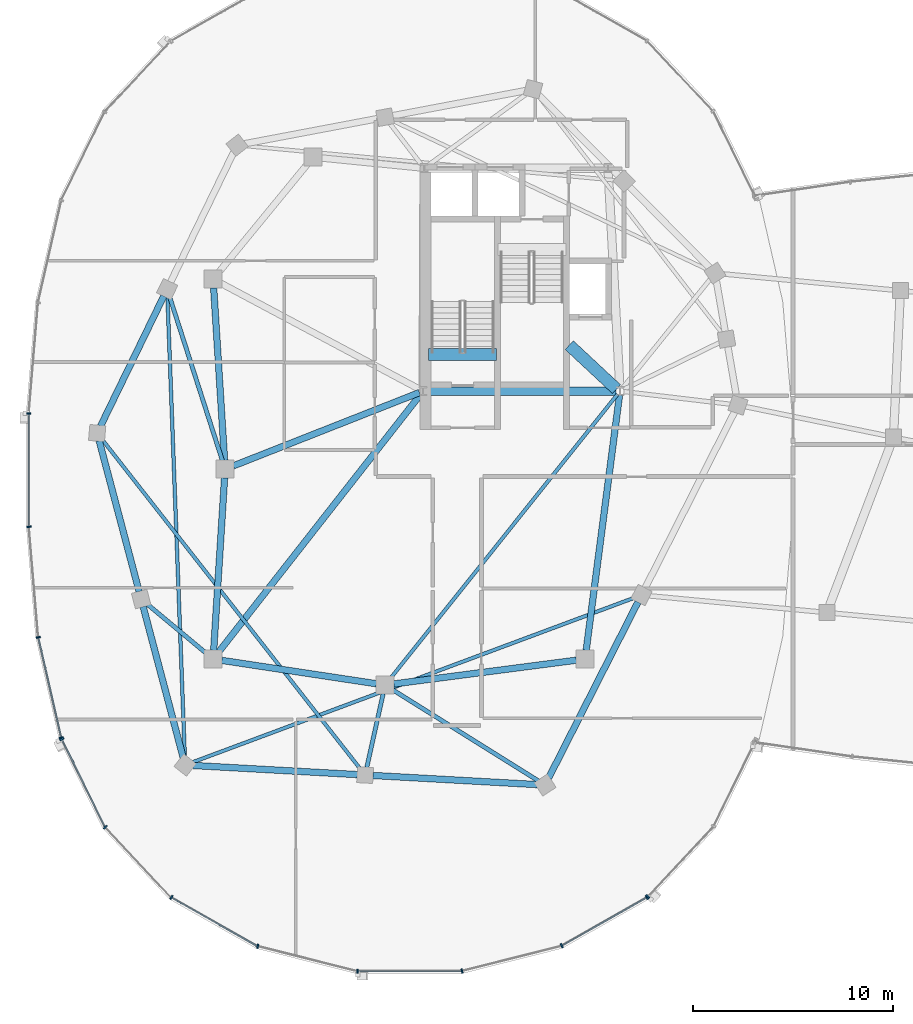
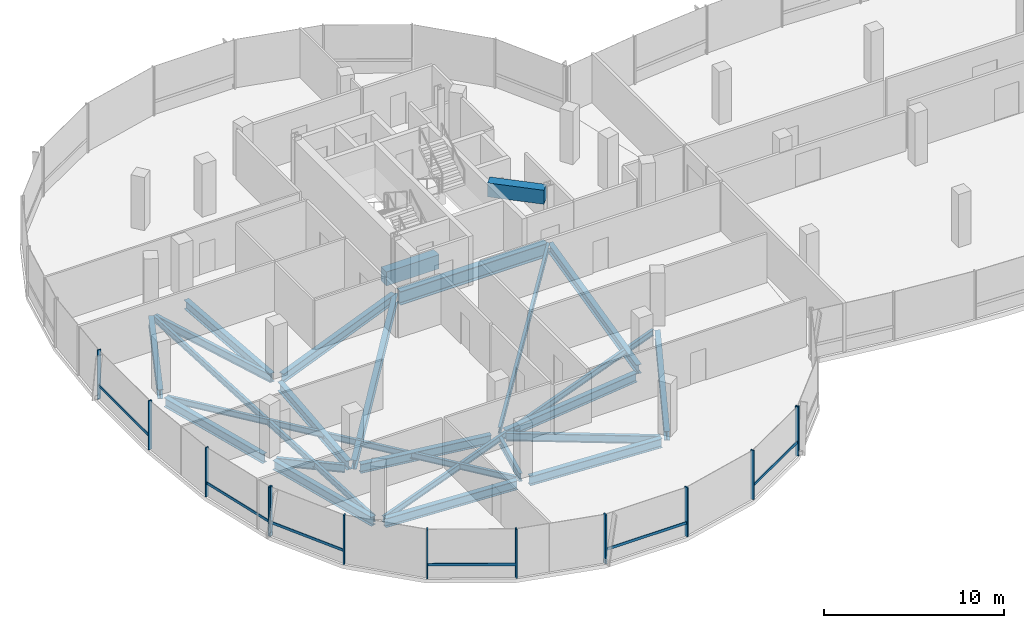
# One storey, part 3 of 25: 24 beams, 19 members, 3 elements without a shape of their own.
"""IFC4 building model written with IfcOpenShell, lengths in metres."""

from ifc_helpers import new_model, si_unit, direction, frame, origin, origin_2d, place, context, subcontext, project, spatial, rectangle, i_section, extrude, material, material_profile, profile_set, type_object, element, aggregate, save


model = new_model("IFC4")

# Units and contexts
model_context = context("Model", 3, precision=1e-05, world=origin(), true_north=direction((0.0, 1.0)))
body_context = subcontext(model_context, "Body", "Model", "MODEL_VIEW")
ifc_project = project(units=[si_unit("LENGTHUNIT", "METRE"), si_unit("AREAUNIT", "SQUARE_METRE"), si_unit("VOLUMEUNIT", "CUBIC_METRE"), si_unit("PLANEANGLEUNIT", "RADIAN"), si_unit("MASSUNIT", "GRAM", prefix="KILO"), si_unit("THERMODYNAMICTEMPERATUREUNIT", "KELVIN"), si_unit("POWERUNIT", "WATT")], contexts=[model_context])

# Site, building, storey
site_placement = place(None, origin())
site = spatial("IfcSite", under=ifc_project, at=site_placement, CompositionType="ELEMENT")
building_placement = place(site_placement, origin())
building = spatial("IfcBuilding", under=site, at=building_placement, Name="Cundina Bronze Exchange", CompositionType="ELEMENT")
storey_placement = place(building_placement, frame((0.0, 0.0, 250.39990234375)))
storey = spatial("IfcBuildingStorey", under=building, at=storey_placement, Name="L66", CompositionType="ELEMENT", Elevation=250.39990234375)

# Beams
ifc_material_1 = material(Name="Concrete C60/75", Category="concrete")
ifc_material_profile_1 = material_profile(ifc_material_1, rectangle(XDim=0.60009765625, YDim=0.949951171875, at=origin_2d()), Name="RC600X950", Category="concrete")
ifc_profile_set_1 = profile_set([ifc_material_profile_1], Name="Concrete C60/75")
beam_type_1 = type_object("IfcBeamType", Name="BM-COUP-RC950", PredefinedType="LINTEL", material=ifc_profile_set_1)
beam_1_placement = place(storey_placement, frame((-31.02001953125, 5.719970703125, -0.474853515625), z_axis=(1.0, 0.0, 0.0), x_axis=(0.0, 1.0, 0.0)))
element("IfcBeam", 1, at=beam_1_placement, inside=storey, type_object=beam_type_1, Name="L66 Stair W1 Landing Header Beam", PredefinedType="LINTEL", context=body_context, shape_type="SweptSolid", body=[
    extrude(rectangle(XDim=0.60009765625, YDim=0.949951171875, at=origin_2d()), origin(), (0.0, 0.0, 1.0), 3.39990234375),
])
beam_2_placement = place(storey_placement, frame((-23.989990234375, 6.199951171875, 2.864990234375), z_axis=(0.731490439815, -0.681851696822, 0.0), x_axis=(0.681851696822, 0.731490439815, 0.0)))
element("IfcBeam", 2, at=beam_2_placement, inside=storey, type_object=beam_type_1, Name="L66 W Core Shear Coupling Lintel Beam", PredefinedType="LINTEL", context=body_context, shape_type="SweptSolid", body=[
    extrude(rectangle(XDim=0.60009765625, YDim=0.949951171875, at=origin_2d()), origin(), (0.0, 0.0, 1.0), 3.226318359375),
])
ifc_material_2 = material(Name="Steel ASTM A992 Grade 50", Category="steel")
ifc_material_profile_2 = material_profile(ifc_material_2, i_section(OverallWidth=0.2119140625, OverallDepth=0.5439453125, WebThickness=0.01318359375, FlangeThickness=0.021240234375, FilletRadius=0.013916015625, at=origin_2d()), Name="W21X83", Category="steel")
ifc_profile_set_2 = profile_set([ifc_material_profile_2], Name="Steel ASTM A992 Grade 50")
beam_type_2 = type_object("IfcBeamType", Name="BM-FLR-W21A", PredefinedType="BEAM", material=ifc_profile_set_2)
beam_3_placement = place(storey_placement, frame((-41.334228515625, 0.4169921875, -0.531982421875), z_axis=(-0.306706012964, 0.951804297958, 0.0), x_axis=(-0.951804297958, -0.306706012964, 0.0)))
element("IfcBeam", 3, at=beam_3_placement, inside=storey, type_object=beam_type_2, Name="L66 Leg W Radial Floor Beam 07", PredefinedType="BEAM", context=body_context, shape_type="SweptSolid", body=[
    extrude(i_section(OverallWidth=0.2119140625, OverallDepth=0.5439453125, WebThickness=0.01318359375, FlangeThickness=0.021240234375, FilletRadius=0.013916015625, at=origin_2d()), origin(), (0.0, 0.0, 1.0), 8.629638671875),
])
beam_4_placement = place(storey_placement, frame((-42.136474609375, -9.219482421875, -0.531982421875), z_axis=(-0.768210910963, 0.640196841821, 0.0), x_axis=(-0.640196841821, -0.768210910963, 0.0)))
element("IfcBeam", 4, at=beam_4_placement, inside=storey, type_object=beam_type_2, Name="L66 Leg W Radial Floor Beam 09", PredefinedType="BEAM", context=body_context, shape_type="SweptSolid", body=[
    extrude(i_section(OverallWidth=0.2119140625, OverallDepth=0.5439453125, WebThickness=0.01318359375, FlangeThickness=0.021240234375, FilletRadius=0.013916015625, at=origin_2d()), origin(), (0.0, 0.0, 1.0), 3.860107421875),
])
beam_5_placement = place(storey_placement, frame((-33.294921875, -11.2275390625, -0.531982421875), z_axis=(-0.216930457819, -0.976187060184, 0.0), x_axis=(0.976187060184, -0.216930457819, 0.0)))
element("IfcBeam", 5, at=beam_5_placement, inside=storey, type_object=beam_type_2, Name="L66 Leg W Radial Floor Beam 11", PredefinedType="BEAM", context=body_context, shape_type="SweptSolid", body=[
    extrude(i_section(OverallWidth=0.2119140625, OverallDepth=0.5439453125, WebThickness=0.01318359375, FlangeThickness=0.021240234375, FilletRadius=0.013916015625, at=origin_2d()), origin(), (0.0, 0.0, 1.0), 3.78369140625),
])
beam_6_placement = place(storey_placement, frame((-32.82861328125, -11.031982421875, -0.531982421875), z_axis=(0.847983963552, -0.530021884038, 0.0), x_axis=(0.530021884038, 0.847983963552, 0.0)))
element("IfcBeam", 6, at=beam_6_placement, inside=storey, type_object=beam_type_2, Name="L66 Leg W Radial Floor Beam 12", PredefinedType="BEAM", context=body_context, shape_type="SweptSolid", body=[
    extrude(i_section(OverallWidth=0.2119140625, OverallDepth=0.5439453125, WebThickness=0.01318359375, FlangeThickness=0.021240234375, FilletRadius=0.013916015625, at=origin_2d()), origin(), (0.0, 0.0, 1.0), 8.608154296875),
])
ifc_material_profile_3 = material_profile(ifc_material_2, i_section(OverallWidth=0.178955078125, OverallDepth=0.409912109375, WebThickness=0.0087890625, FlangeThickness=0.014404296875, FilletRadius=0.010986328125, at=origin_2d()), Name="W16X45", Category="steel")
ifc_profile_set_3 = profile_set([ifc_material_profile_3], Name="Steel ASTM A992 Grade 50")
beam_type_3 = type_object("IfcBeamType", Name="BM-JST-W16", PredefinedType="JOIST", material=ifc_profile_set_3)
beam_7_placement = place(storey_placement, frame((-21.572509765625, 3.746826171875, -0.46484375), z_axis=(-0.624364266872, -0.781133319129, 0.0), x_axis=(0.781133319129, -0.624364266872, 0.0)))
element("IfcBeam", 7, at=beam_7_placement, inside=storey, type_object=beam_type_3, Name="L66 W Interior Core-to-Ring Joist 2", PredefinedType="JOIST", context=body_context, shape_type="SweptSolid", body=[
    extrude(i_section(OverallWidth=0.178955078125, OverallDepth=0.409912109375, WebThickness=0.0087890625, FlangeThickness=0.014404296875, FilletRadius=0.010986328125, at=origin_2d()), origin(), (0.0, 0.0, 1.0), 18.184814453125),
])
beam_8_placement = place(storey_placement, frame((-44.085205078125, 8.6123046875, -0.46484375), z_axis=(0.037784872152, -0.999285896746, 0.0), x_axis=(0.999285896746, 0.037784872152, 0.0)))
element("IfcBeam", 8, at=beam_8_placement, inside=storey, type_object=beam_type_3, Name="L66 Leg W Lobe Floor Joist 07-10", PredefinedType="JOIST", context=body_context, shape_type="SweptSolid", body=[
    extrude(i_section(OverallWidth=0.178955078125, OverallDepth=0.409912109375, WebThickness=0.0087890625, FlangeThickness=0.014404296875, FilletRadius=0.010986328125, at=origin_2d()), origin(), (0.0, 0.0, 1.0), 23.041015625),
])
beam_9_placement = place(storey_placement, frame((-47.360595703125, 1.49462890625, -0.46484375), z_axis=(0.616804005008, -0.78711677622, 0.0), x_axis=(0.78711677622, 0.616804005008, 0.0)))
element("IfcBeam", 9, at=beam_9_placement, inside=storey, type_object=beam_type_3, Name="L66 Leg W Lobe Floor Joist 08-11", PredefinedType="JOIST", context=body_context, shape_type="SweptSolid", body=[
    extrude(i_section(OverallWidth=0.178955078125, OverallDepth=0.409912109375, WebThickness=0.0087890625, FlangeThickness=0.014404296875, FilletRadius=0.010986328125, at=origin_2d()), origin(), (0.0, 0.0, 1.0), 20.948974609375),
])
beam_10_placement = place(storey_placement, frame((-42.83642578125, -14.66455078125, -0.46484375), z_axis=(0.937127932085, 0.348986015344, 0.0), x_axis=(-0.348986015344, 0.937127932085, 0.0)))
element("IfcBeam", 10, at=beam_10_placement, inside=storey, type_object=beam_type_3, Name="L66 Leg W Lobe Floor Joist 10-13", PredefinedType="JOIST", context=body_context, shape_type="SweptSolid", body=[
    extrude(i_section(OverallWidth=0.178955078125, OverallDepth=0.409912109375, WebThickness=0.0087890625, FlangeThickness=0.014404296875, FilletRadius=0.010986328125, at=origin_2d()), origin(), (0.0, 0.0, 1.0), 23.58056640625),
])
ifc_material_profile_4 = material_profile(ifc_material_2, i_section(OverallWidth=0.324951171875, OverallDepth=0.615966796875, WebThickness=0.013916015625, FlangeThickness=0.021484375, FilletRadius=0.01611328125, at=origin_2d()), Name="W24X117", Category="steel")
ifc_profile_set_4 = profile_set([ifc_material_profile_4], Name="Steel ASTM A992 Grade 50")
beam_type_4 = type_object("IfcBeamType", Name="BM-RING-W24", PredefinedType="USERDEFINED", material=ifc_profile_set_4)
for number, where, z_axis, x_axis, name in (
    (11, (-41.7724609375, 9.06298828125, -0.56787109375), (0.063046519736, -0.998010589297, 0.0), (0.998010589297, 0.063046519736, 0.0), "L66 W Inner Structural Ring Girder 03"),
    (12, (-41.2275390625, -0.43701171875, -0.56787109375), (-0.063046519736, -0.998010589297, 0.0), (0.998010589297, -0.063046519736, 0.0), "L66 W Inner Structural Ring Girder 04"),
):
    element("IfcBeam", number, at=place(storey_placement, frame(where, z_axis=z_axis, x_axis=x_axis)), inside=storey, type_object=beam_type_4, Name=name, ObjectType="GIRDER", PredefinedType="USERDEFINED", context=body_context, shape_type="SweptSolid", body=[
        extrude(i_section(OverallWidth=0.324951171875, OverallDepth=0.615966796875, WebThickness=0.013916015625, FlangeThickness=0.021484375, FilletRadius=0.01611328125, at=origin_2d()), origin(), (0.0, 0.0, 1.0), 8.64306640625),
    ])
beam_11_placement = place(storey_placement, frame((-41.366943359375, -9.5654296875, -0.56787109375), z_axis=(0.988764903598, -0.149478979839, 0.0), x_axis=(0.149478979839, 0.988764903598, 0.0)))
element("IfcBeam", 13, at=beam_11_placement, inside=storey, type_object=beam_type_4, Name="L66 W Inner Structural Ring Girder 05", ObjectType="GIRDER", PredefinedType="USERDEFINED", context=body_context, shape_type="SweptSolid", body=[
    extrude(i_section(OverallWidth=0.324951171875, OverallDepth=0.615966796875, WebThickness=0.013916015625, FlangeThickness=0.021484375, FilletRadius=0.01611328125, at=origin_2d()), origin(), (0.0, 0.0, 1.0), 7.82177734375),
])
beam_12_placement = place(storey_placement, frame((-32.765625, -10.743408203125, -0.56787109375), z_axis=(0.991656498582, 0.128908451316, 0.0), x_axis=(-0.128908451316, 0.991656498582, 0.0)))
element("IfcBeam", 14, at=beam_12_placement, inside=storey, type_object=beam_type_4, Name="L66 W Inner Structural Ring Girder 06", ObjectType="GIRDER", PredefinedType="USERDEFINED", context=body_context, shape_type="SweptSolid", body=[
    extrude(i_section(OverallWidth=0.324951171875, OverallDepth=0.615966796875, WebThickness=0.013916015625, FlangeThickness=0.021484375, FilletRadius=0.01611328125, at=origin_2d()), origin(), (0.0, 0.0, 1.0), 9.208251953125),
])
beam_13_placement = place(storey_placement, frame((-23.143310546875, -9.065673828125, -0.56787109375), z_axis=(0.129501251979, 0.991579258424, 0.0), x_axis=(-0.991579258424, 0.129501251979, 0.0)))
element("IfcBeam", 15, at=beam_13_placement, inside=storey, type_object=beam_type_4, Name="L66 W Inner Structural Ring Girder 07", ObjectType="GIRDER", PredefinedType="USERDEFINED", context=body_context, shape_type="SweptSolid", body=[
    extrude(i_section(OverallWidth=0.324951171875, OverallDepth=0.615966796875, WebThickness=0.013916015625, FlangeThickness=0.021484375, FilletRadius=0.01611328125, at=origin_2d()), origin(), (0.0, 0.0, 1.0), 12.8798828125),
])
beam_14_placement = place(storey_placement, frame((-31.482421875, 3.828125, -0.56787109375), z_axis=(-0.930404106569, -0.366535398673, 0.0), x_axis=(0.366535398673, -0.930404106569, 0.0)))
element("IfcBeam", 16, at=beam_14_placement, inside=storey, type_object=beam_type_4, Name="L66 W Core-to-Waist Tie Beam 1", ObjectType="GIRDER", PredefinedType="USERDEFINED", context=body_context, shape_type="SweptSolid", body=[
    extrude(i_section(OverallWidth=0.324951171875, OverallDepth=0.615966796875, WebThickness=0.013916015625, FlangeThickness=0.021484375, FilletRadius=0.01611328125, at=origin_2d()), origin(), (0.0, 0.0, 1.0), 10.00634765625),
])
beam_15_placement = place(storey_placement, frame((-31.4208984375, 3.74560546875, -0.56787109375), z_axis=(-0.616782900053, -0.787133314123, 0.0), x_axis=(0.787133314123, -0.616782900053, 0.0)))
element("IfcBeam", 17, at=beam_15_placement, inside=storey, type_object=beam_type_4, Name="L66 W Core-to-Waist Tie Beam 3", ObjectType="GIRDER", PredefinedType="USERDEFINED", context=body_context, shape_type="SweptSolid", body=[
    extrude(i_section(OverallWidth=0.324951171875, OverallDepth=0.615966796875, WebThickness=0.013916015625, FlangeThickness=0.021484375, FilletRadius=0.01611328125, at=origin_2d()), origin(), (0.0, 0.0, 1.0), 16.3896484375),
])
beam_16_placement = place(storey_placement, frame((-44.26953125, 8.65087890625, -0.56787109375), z_axis=(-0.437216986791, -0.899356050995, 0.0), x_axis=(0.899356050995, -0.437216986791, 0.0)))
element("IfcBeam", 18, at=beam_16_placement, inside=storey, type_object=beam_type_4, Name="L66 W Perimeter Ring Girder 07", ObjectType="GIRDER", PredefinedType="USERDEFINED", context=body_context, shape_type="SweptSolid", body=[
    extrude(i_section(OverallWidth=0.324951171875, OverallDepth=0.615966796875, WebThickness=0.013916015625, FlangeThickness=0.021484375, FilletRadius=0.01611328125, at=origin_2d()), origin(), (0.0, 0.0, 1.0), 7.2294921875),
])
for number, where, z_axis, x_axis, name in (
    (19, (-47.50048828125, 1.425048828125, -0.56787109375), (0.256183793797, -0.966628089699, 0.0), (0.966628089699, 0.256183793797, 0.0), "L66 W Perimeter Ring Girder 08"),
    (20, (-45.300537109375, -6.875, -0.56787109375), (0.256212999207, -0.966620348967, 0.0), (0.966620348967, 0.256212999207, 0.0), "L66 W Perimeter Ring Girder 09"),
):
    element("IfcBeam", number, at=place(storey_placement, frame(where, z_axis=z_axis, x_axis=x_axis)), inside=storey, type_object=beam_type_4, Name=name, ObjectType="GIRDER", PredefinedType="USERDEFINED", context=body_context, shape_type="SweptSolid", body=[
        extrude(i_section(OverallWidth=0.324951171875, OverallDepth=0.615966796875, WebThickness=0.013916015625, FlangeThickness=0.021484375, FilletRadius=0.01611328125, at=origin_2d()), origin(), (0.0, 0.0, 1.0), 7.810791015625),
    ])
for number, where, z_axis, x_axis, name in (
    (21, (-42.8125, -14.821533203125, -0.56787109375), (0.998459806018, -0.055479868117, 0.0), (0.055479868117, 0.998459806018, 0.0), "L66 W Perimeter Ring Girder 10"),
    (22, (-33.8125, -15.321533203125, -0.56787109375), (0.998459806018, -0.055479868117, 0.0), (0.055479868117, 0.998459806018, 0.0), "L66 W Perimeter Ring Girder 11"),
):
    element("IfcBeam", number, at=place(storey_placement, frame(where, z_axis=z_axis, x_axis=x_axis)), inside=storey, type_object=beam_type_4, Name=name, ObjectType="GIRDER", PredefinedType="USERDEFINED", context=body_context, shape_type="SweptSolid", body=[
        extrude(i_section(OverallWidth=0.324951171875, OverallDepth=0.615966796875, WebThickness=0.013916015625, FlangeThickness=0.021484375, FilletRadius=0.01611328125, at=origin_2d()), origin(), (0.0, 0.0, 1.0), 8.23779296875),
    ])
beam_17_placement = place(storey_placement, frame((-25.0244140625, -15.4541015625, -0.56787109375), z_axis=(0.452839263805, 0.891592171991, 0.0), x_axis=(-0.891592171991, 0.452839263805, 0.0)))
element("IfcBeam", 23, at=beam_17_placement, inside=storey, type_object=beam_type_4, Name="L66 W Perimeter Ring Girder 12", ObjectType="GIRDER", PredefinedType="USERDEFINED", context=body_context, shape_type="SweptSolid", body=[
    extrude(i_section(OverallWidth=0.324951171875, OverallDepth=0.615966796875, WebThickness=0.013916015625, FlangeThickness=0.021484375, FilletRadius=0.01611328125, at=origin_2d()), origin(), (0.0, 0.0, 1.0), 9.879150390625),
])
ifc_material_profile_5 = material_profile(ifc_material_2, i_section(OverallWidth=0.41796875, OverallDepth=0.927001953125, WebThickness=0.019287109375, FlangeThickness=0.031982421875, FilletRadius=0.02392578125, at=origin_2d()), Name="W36X231", Category="steel")
ifc_profile_set_5 = profile_set([ifc_material_profile_5], Name="Steel ASTM A992 Grade 50")
beam_type_5 = type_object("IfcBeamType", Name="BM-WRN-W36B", PredefinedType="USERDEFINED", material=ifc_profile_set_5)
beam_18_placement = place(storey_placement, frame((-31.10400390625, 3.89990234375, -0.723388671875), z_axis=(1.0, 0.0, 0.0), x_axis=(0.0, 1.0, 0.0)))
element("IfcBeam", 24, at=beam_18_placement, inside=storey, type_object=beam_type_5, Name="L66 W Core Perimeter Tie Girder 1", ObjectType="GIRDER", PredefinedType="USERDEFINED", context=body_context, shape_type="SweptSolid", body=[
    extrude(i_section(OverallWidth=0.41796875, OverallDepth=0.927001953125, WebThickness=0.019287109375, FlangeThickness=0.031982421875, FilletRadius=0.02392578125, at=origin_2d()), origin(), (0.0, 0.0, 1.0), 9.4580078125),
])

# Curtain wall, members
ifc_material_3 = material(Name="Anodised Bronze Aluminium 6063-T6", Category="aluminium")
curtain_wall_type = type_object("IfcCurtainWallType", Name="CWS-SKG-BRG", PredefinedType="NOTDEFINED", material=ifc_material_3)
curtain_wall_1_placement = place(storey_placement, origin())
curtain_wall_1 = element("IfcCurtainWall", 25, at=curtain_wall_1_placement, inside=storey, type_object=curtain_wall_type, Name="L66 CW-06 Curtain Wall Run CWR-L66-W2", PredefinedType="NOTDEFINED")
ifc_material_profile_6 = material_profile(ifc_material_3, rectangle(XDim=0.074951171875, YDim=0.219970703125, at=origin_2d()), Name="AL75X220", Category="aluminium")
ifc_profile_set_6 = profile_set([ifc_material_profile_6], Name="Anodised Bronze Aluminium 6063-T6")
member_type_1 = type_object("IfcMemberType", Name="CWM-MUL-220", PredefinedType="MULLION", material=ifc_profile_set_6)
member_1_placement = place(storey_placement, frame((-51.01904296875, 2.79150390625, 0.0), z_axis=(0.0, 0.0, 1.0), x_axis=(0.0, -1.0, 0.0)))
member_1 = element("IfcMember", 26, at=member_1_placement, type_object=member_type_1, Name="CW-06 Mullion 5", PredefinedType="MULLION", context=body_context, shape_type="SweptSolid", body=[
    extrude(rectangle(XDim=0.074951171875, YDim=0.219970703125, at=origin_2d()), origin(), (0.0, 0.0, 1.0), 3.340087890625),
])
member_2_placement = place(storey_placement, frame((-51.01513671875, -2.885498046875, 0.0), z_axis=(0.0, 0.0, 1.0), x_axis=(0.083677843332, -0.99649285925, 0.0)))
member_2 = element("IfcMember", 27, at=member_2_placement, type_object=member_type_1, Name="CW-06 Mullion 6", PredefinedType="MULLION", context=body_context, shape_type="SweptSolid", body=[
    extrude(rectangle(XDim=0.074951171875, YDim=0.219970703125, at=origin_2d()), origin(), (0.0, 0.0, 1.0), 3.340087890625),
])
member_3_placement = place(storey_placement, frame((-50.544677734375, -8.4111328125, 0.0), z_axis=(0.0, 0.0, 1.0), x_axis=(0.223250116011, -0.974761194191, 0.0)))
member_3 = element("IfcMember", 28, at=member_3_placement, type_object=member_type_1, Name="CW-06 Mullion 7", PredefinedType="MULLION", context=body_context, shape_type="SweptSolid", body=[
    extrude(rectangle(XDim=0.074951171875, YDim=0.219970703125, at=origin_2d()), origin(), (0.0, 0.0, 1.0), 3.340087890625),
])
member_4_placement = place(storey_placement, frame((-49.39404296875, -13.433837890625, 0.0), z_axis=(0.0, 0.0, 1.0), x_axis=(0.223250116011, -0.974761194191, 0.0)))
member_4 = element("IfcMember", 29, at=member_4_placement, type_object=member_type_1, Name="CW-06 End Mullion", PredefinedType="MULLION", context=body_context, shape_type="SweptSolid", body=[
    extrude(rectangle(XDim=0.074951171875, YDim=0.219970703125, at=origin_2d()), origin(), (0.0, 0.0, 1.0), 3.340087890625),
])

curtain_wall_2_placement = place(storey_placement, origin())
curtain_wall_2 = element("IfcCurtainWall", 30, at=curtain_wall_2_placement, inside=storey, type_object=curtain_wall_type, Name="L66 CW-06 Curtain Wall Run CWR-L66-W3", PredefinedType="NOTDEFINED")
member_5_placement = place(storey_placement, frame((-49.369140625, -13.50390625, 0.0), z_axis=(0.0, 0.0, 1.0), x_axis=(0.440566004113, -0.897720221461, 0.0)))
member_5 = element("IfcMember", 31, at=member_5_placement, type_object=member_type_1, Name="CW-06 Mullion 1", PredefinedType="MULLION", context=body_context, shape_type="SweptSolid", body=[
    extrude(rectangle(XDim=0.074951171875, YDim=0.219970703125, at=origin_2d()), origin(), (0.0, 0.0, 1.0), 3.340087890625),
])
member_6_placement = place(storey_placement, frame((-47.1962890625, -17.910400390625, 0.0), z_axis=(0.0, 0.0, 1.0), x_axis=(0.684292606175, -0.729207535023, 0.0)))
member_6 = element("IfcMember", 32, at=member_6_placement, type_object=member_type_1, Name="CW-06 Mullion 2", PredefinedType="MULLION", context=body_context, shape_type="SweptSolid", body=[
    extrude(rectangle(XDim=0.074951171875, YDim=0.219970703125, at=origin_2d()), origin(), (0.0, 0.0, 1.0), 3.340087890625),
])
member_7_placement = place(storey_placement, frame((-43.88916015625, -21.419921875, 0.0), z_axis=(0.0, 0.0, 1.0), x_axis=(0.86958112538, -0.493790103568, 0.0)))
member_7 = element("IfcMember", 33, at=member_7_placement, type_object=member_type_1, Name="CW-06 Mullion 3", PredefinedType="MULLION", context=body_context, shape_type="SweptSolid", body=[
    extrude(rectangle(XDim=0.074951171875, YDim=0.219970703125, at=origin_2d()), origin(), (0.0, 0.0, 1.0), 3.340087890625),
])
member_8_placement = place(storey_placement, frame((-39.5703125, -23.86181640625, 0.0), z_axis=(0.0, 0.0, 1.0), x_axis=(0.969744325821, -0.244122802168, 0.0)))
member_8 = element("IfcMember", 34, at=member_8_placement, type_object=member_type_1, Name="CW-06 Mullion 4", PredefinedType="MULLION", context=body_context, shape_type="SweptSolid", body=[
    extrude(rectangle(XDim=0.074951171875, YDim=0.219970703125, at=origin_2d()), origin(), (0.0, 0.0, 1.0), 3.340087890625),
])
member_9_placement = place(storey_placement, frame((-34.576416015625, -25.110107421875, 0.0), z_axis=(0.0, 0.0, 1.0), x_axis=(1.0, 0.0, 0.0)))
member_9 = element("IfcMember", 35, at=member_9_placement, type_object=member_type_1, Name="CW-06 Mullion 5", PredefinedType="MULLION", context=body_context, shape_type="SweptSolid", body=[
    extrude(rectangle(XDim=0.074951171875, YDim=0.219970703125, at=origin_2d()), origin(), (0.0, 0.0, 1.0), 3.340087890625),
])
member_10_placement = place(storey_placement, frame((-29.351806640625, -25.10107421875, 0.0), z_axis=(0.0, 0.0, 1.0), x_axis=(0.969744325821, 0.244122802168, 0.0)))
member_10 = element("IfcMember", 36, at=member_10_placement, type_object=member_type_1, Name="CW-06 Mullion 6", PredefinedType="MULLION", context=body_context, shape_type="SweptSolid", body=[
    extrude(rectangle(XDim=0.074951171875, YDim=0.219970703125, at=origin_2d()), origin(), (0.0, 0.0, 1.0), 3.340087890625),
])
member_11_placement = place(storey_placement, frame((-24.365478515625, -23.8359375, 0.0), z_axis=(0.0, 0.0, 1.0), x_axis=(0.86958112538, 0.493790103568, 0.0)))
member_11 = element("IfcMember", 37, at=member_11_placement, type_object=member_type_1, Name="CW-06 Mullion 7", PredefinedType="MULLION", context=body_context, shape_type="SweptSolid", body=[
    extrude(rectangle(XDim=0.074951171875, YDim=0.219970703125, at=origin_2d()), origin(), (0.0, 0.0, 1.0), 3.340087890625),
])
member_12_placement = place(storey_placement, frame((-20.11083984375, -21.419921875, 0.0), z_axis=(0.0, 0.0, 1.0), x_axis=(0.86958112538, 0.493790103568, 0.0)))
member_12 = element("IfcMember", 38, at=member_12_placement, type_object=member_type_1, Name="CW-06 End Mullion", PredefinedType="MULLION", context=body_context, shape_type="SweptSolid", body=[
    extrude(rectangle(XDim=0.074951171875, YDim=0.219970703125, at=origin_2d()), origin(), (0.0, 0.0, 1.0), 3.340087890625),
])

# Curtain wall, member
curtain_wall_3_placement = place(storey_placement, origin())
curtain_wall_3 = element("IfcCurtainWall", 39, at=curtain_wall_3_placement, inside=storey, type_object=curtain_wall_type, Name="L66 CW-06 Curtain Wall Run CWR-L66-W4", PredefinedType="NOTDEFINED")
member_13_placement = place(storey_placement, frame((-20.059814453125, -21.3798828125, 0.0), z_axis=(0.0, 0.0, 1.0), x_axis=(0.684292606175, 0.729207535023, 0.0)))
member_13 = element("IfcMember", 40, at=member_13_placement, type_object=member_type_1, Name="CW-06 Mullion 1", PredefinedType="MULLION", context=body_context, shape_type="SweptSolid", body=[
    extrude(rectangle(XDim=0.074951171875, YDim=0.219970703125, at=origin_2d()), origin(), (0.0, 0.0, 1.0), 3.340087890625),
])
aggregate(curtain_wall_3, [member_13])

# Member
ifc_material_profile_7 = material_profile(ifc_material_3, rectangle(XDim=0.070068359375, YDim=0.179931640625, at=origin_2d()), Name="AL70X180", Category="aluminium")
ifc_profile_set_7 = profile_set([ifc_material_profile_7], Name="Anodised Bronze Aluminium 6063-T6")
member_type_2 = type_object("IfcMemberType", Name="CWM-TRN-180", PredefinedType="USERDEFINED", material=ifc_profile_set_7)
member_14_placement = place(storey_placement, frame((-51.01904296875, 2.750244140625, 0.920166015625), z_axis=(0.0, -1.0, 0.0), x_axis=(1.0, 0.0, 0.0)))
member_14 = element("IfcMember", 41, at=member_14_placement, type_object=member_type_2, Name="CW-06 Spandrel Transom 5", ObjectType="TRANSOM", PredefinedType="USERDEFINED", context=body_context, shape_type="SweptSolid", body=[
    extrude(rectangle(XDim=0.070068359375, YDim=0.179931640625, at=origin_2d()), origin(), (0.0, 0.0, 1.0), 5.5830078125),
])

member_15_placement = place(storey_placement, frame((-50.535400390625, -8.451416015625, 0.920166015625), z_axis=(0.223283702293, -0.974753501297, 0.0), x_axis=(0.974753501297, 0.223283702293, 0.0)))
member_15 = element("IfcMember", 42, at=member_15_placement, type_object=member_type_2, Name="CW-06 Spandrel Transom 7", ObjectType="TRANSOM", PredefinedType="USERDEFINED", context=body_context, shape_type="SweptSolid", body=[
    extrude(rectangle(XDim=0.070068359375, YDim=0.179931640625, at=origin_2d()), origin(), (0.0, 0.0, 1.0), 5.070068359375),
])

aggregate(curtain_wall_1, [member_1, member_14, member_2, member_3, member_4, member_15])

member_16_placement = place(storey_placement, frame((-49.35107421875, -13.541015625, 0.920166015625), z_axis=(0.440554408939, -0.897725911826, 0.0), x_axis=(0.897725911826, 0.440554408939, 0.0)))
member_16 = element("IfcMember", 43, at=member_16_placement, type_object=member_type_2, Name="CW-06 Spandrel Transom 1", ObjectType="TRANSOM", PredefinedType="USERDEFINED", context=body_context, shape_type="SweptSolid", body=[
    extrude(rectangle(XDim=0.070068359375, YDim=0.179931640625, at=origin_2d()), origin(), (0.0, 0.0, 1.0), 4.848388671875),
])

member_17_placement = place(storey_placement, frame((-43.853271484375, -21.440185546875, 0.920166015625), z_axis=(0.869557366176, -0.493831941989, 0.0), x_axis=(0.493831941989, 0.869557366176, 0.0)))
member_17 = element("IfcMember", 44, at=member_17_placement, type_object=member_type_2, Name="CW-06 Spandrel Transom 3", ObjectType="TRANSOM", PredefinedType="USERDEFINED", context=body_context, shape_type="SweptSolid", body=[
    extrude(rectangle(XDim=0.070068359375, YDim=0.179931640625, at=origin_2d()), origin(), (0.0, 0.0, 1.0), 4.892822265625),
])

member_18_placement = place(storey_placement, frame((-34.53515625, -25.110107421875, 0.920166015625), z_axis=(1.0, 0.0, 0.0), x_axis=(0.0, 1.0, 0.0)))
member_18 = element("IfcMember", 45, at=member_18_placement, type_object=member_type_2, Name="CW-06 Spandrel Transom 5", ObjectType="TRANSOM", PredefinedType="USERDEFINED", context=body_context, shape_type="SweptSolid", body=[
    extrude(rectangle(XDim=0.070068359375, YDim=0.179931640625, at=origin_2d()), origin(), (0.0, 0.0, 1.0), 5.153076171875),
])

member_19_placement = place(storey_placement, frame((-24.32958984375, -23.815673828125, 0.920166015625), z_axis=(0.869558105282, 0.493830640542, 0.0), x_axis=(-0.493830640542, 0.869558105282, 0.0)))
member_19 = element("IfcMember", 46, at=member_19_placement, type_object=member_type_2, Name="CW-06 Spandrel Transom 7", ObjectType="TRANSOM", PredefinedType="USERDEFINED", context=body_context, shape_type="SweptSolid", body=[
    extrude(rectangle(XDim=0.070068359375, YDim=0.179931640625, at=origin_2d()), origin(), (0.0, 0.0, 1.0), 4.810302734375),
])

aggregate(curtain_wall_2, [member_5, member_16, member_6, member_7, member_17, member_8, member_9, member_18, member_10, member_11, member_12, member_19])

save(model, "model.ifc")
